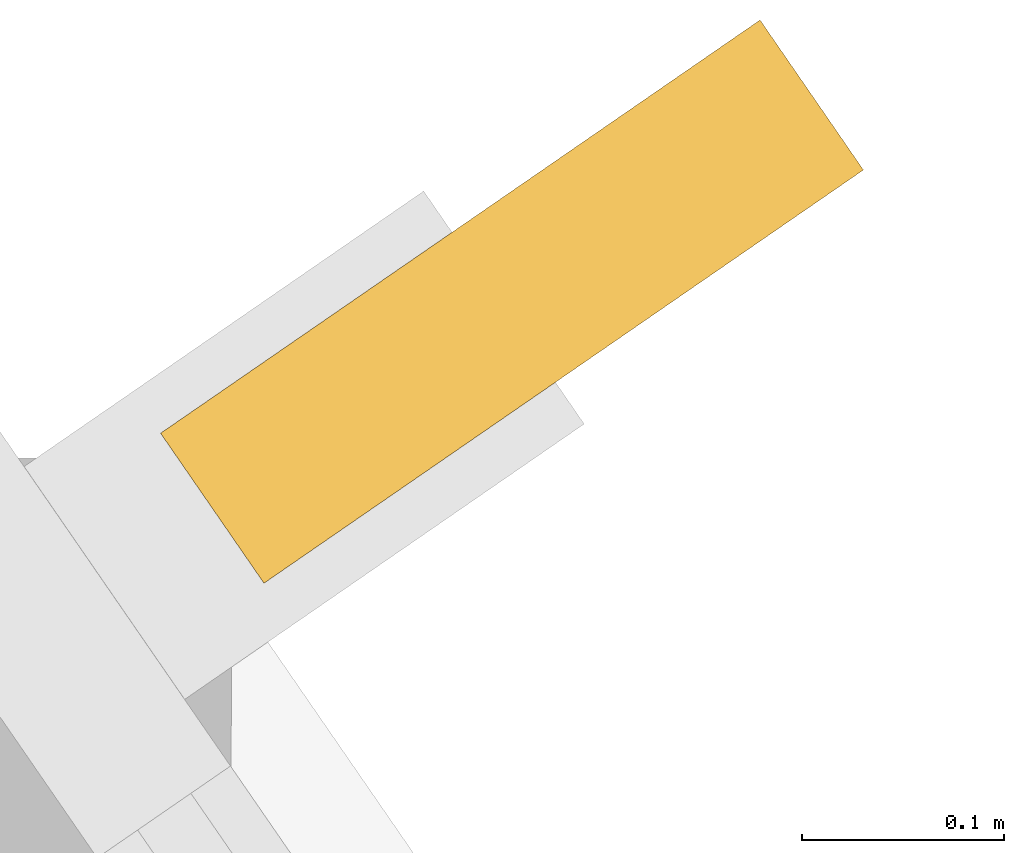
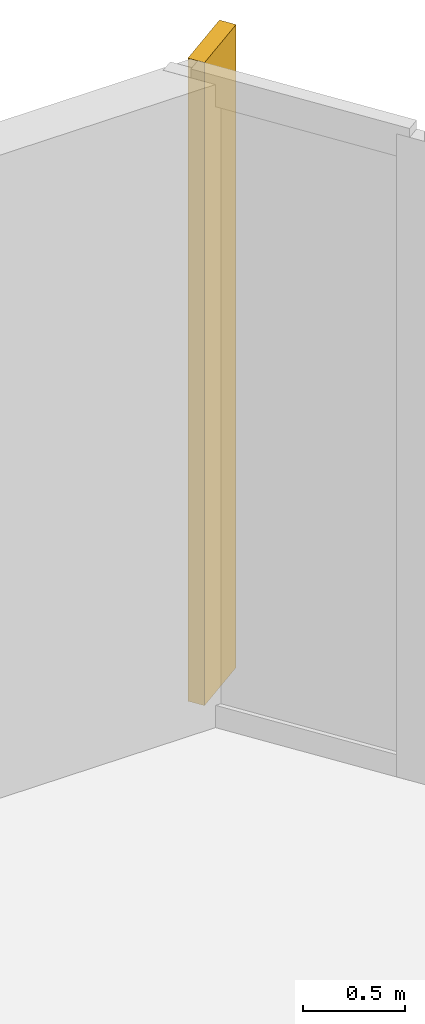
# One storey, part 8 of 8: 1 shading device.
"""IFC4 building model written with IfcOpenShell, lengths in metres."""

from ifc_helpers import new_model, si_unit, direction, frame, origin, origin_2d, place, context, subcontext, project, spatial, rectangle, extrude, material, layer, layer_set, type_object, element, save


model = new_model("IFC4")

# Units and contexts
model_context = context("Model", 3, precision=1e-05, world=origin(), true_north=direction((0.0, 1.0)))
body_context = subcontext(model_context, "Body", "Model", "MODEL_VIEW")
ifc_project = project(units=[si_unit("LENGTHUNIT", "METRE"), si_unit("AREAUNIT", "SQUARE_METRE"), si_unit("VOLUMEUNIT", "CUBIC_METRE"), si_unit("PLANEANGLEUNIT", "RADIAN"), si_unit("MASSUNIT", "GRAM", prefix="KILO")], contexts=[model_context])

# Site, building, storey
site_placement = place(None, origin())
site = spatial("IfcSite", under=ifc_project, at=site_placement, CompositionType="ELEMENT")
building_placement = place(site_placement, origin())
building = spatial("IfcBuilding", under=site, at=building_placement, Name="Veldorim Arch Residences", CompositionType="ELEMENT")
storey_placement = place(building_placement, frame((0.0, 0.0, 246.8798828125)))
storey = spatial("IfcBuildingStorey", under=building, at=storey_placement, Name="L74", CompositionType="ELEMENT", Elevation=246.8798828125)

# Shading device
ifc_material = material(Name="Terracotta Ceramic", Category="masonry")
ifc_layer = layer(ifc_material, 0.090087890625, Name="Vertical Extruded Terracotta Baguette Sun-Shading Fin")
ifc_layer_set = layer_set([ifc_layer], Name="Terracotta Ceramic")
shading_device_type = type_object("IfcShadingDeviceType", Name="Vertical Extruded Terracotta Baguette Sun-Shading Fin", PredefinedType="USERDEFINED", material=ifc_layer_set)
shading_device_placement = place(storey_placement, frame((42.830810546875, 44.23876953125, 0.0), z_axis=(0.0, 0.0, 1.0), x_axis=(0.567556381667, -0.823334533242, 0.0)))
element("IfcShadingDevice", 1, at=shading_device_placement, inside=storey, type_object=shading_device_type, Name="L74 vertical terracotta sun-shading fin 36", ObjectType="FIN", PredefinedType="USERDEFINED", context=body_context, shape_type="SweptSolid", body=[
    extrude(rectangle(XDim=0.090087890625, YDim=0.360107421875, at=origin_2d()), origin(), (0.0, 0.0, 1.0), 3.840087890625),
])

save(model, "model.ifc")
